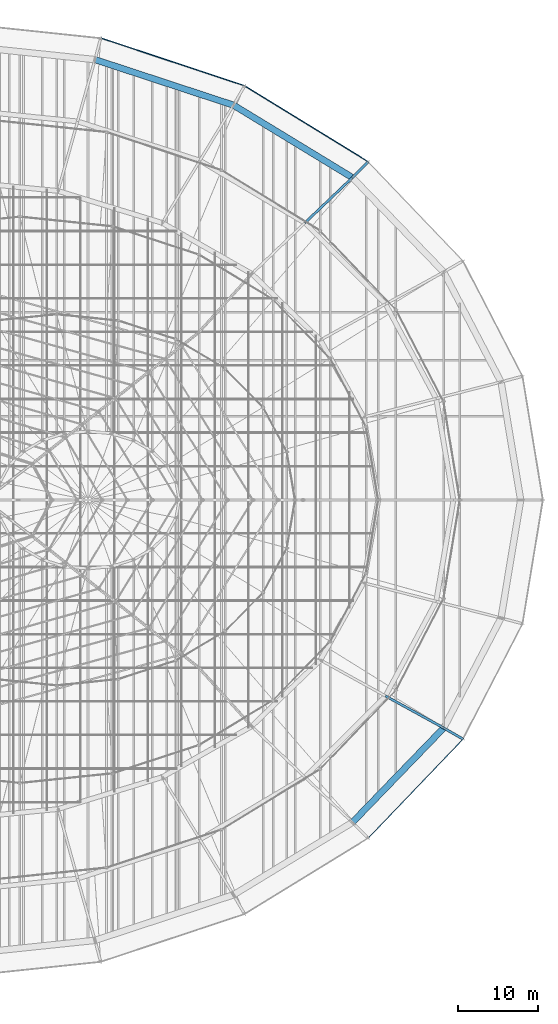
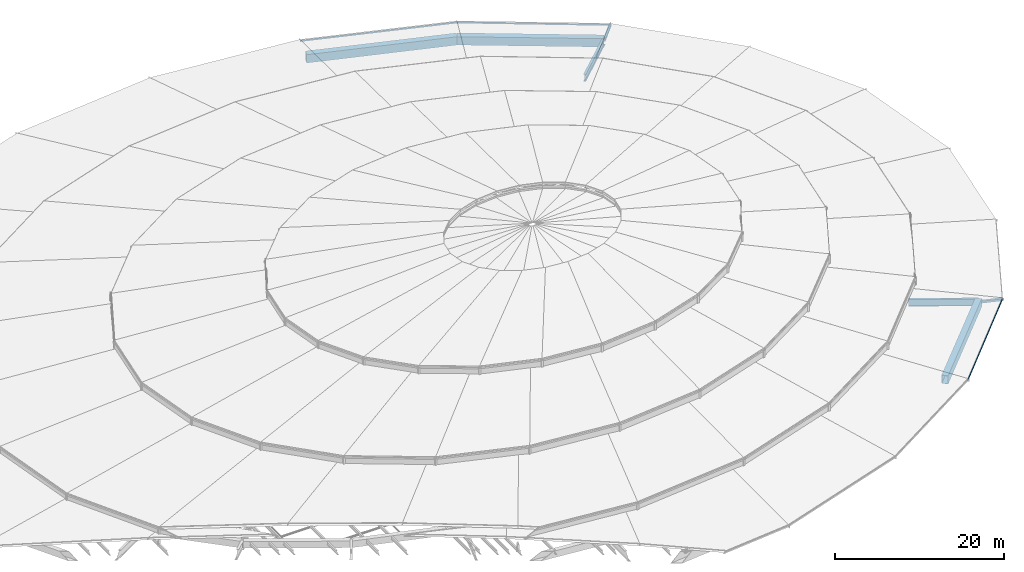
# One storey, part 127 of 184: 5 beams, 5 members.
"""IFC4 building model written with IfcOpenShell, lengths in metres."""

from ifc_helpers import new_model, si_unit, direction, frame, origin, origin_2d, place, context, subcontext, project, spatial, hollow_rectangle, i_section, extrude, material, material_profile, profile_set, type_object, element, save


model = new_model("IFC4")

# Units and contexts
model_context = context("Model", 3, precision=1e-05, world=origin(), true_north=direction((0.0, 1.0)))
body_context = subcontext(model_context, "Body", "Model", "MODEL_VIEW")
ifc_project = project(units=[si_unit("LENGTHUNIT", "METRE"), si_unit("AREAUNIT", "SQUARE_METRE"), si_unit("VOLUMEUNIT", "CUBIC_METRE"), si_unit("PLANEANGLEUNIT", "RADIAN"), si_unit("MASSUNIT", "GRAM", prefix="KILO")], contexts=[model_context])

# Site, building, storey
site_placement = place(None, origin())
site = spatial("IfcSite", under=ifc_project, at=site_placement, CompositionType="ELEMENT")
building_placement = place(site_placement, origin())
building = spatial("IfcBuilding", under=site, at=building_placement, Name="Kalgoora Escarpment Arena", CompositionType="ELEMENT")
storey_placement = place(building_placement, frame((0.0, 0.0, 27.60009765625)))
storey = spatial("IfcBuildingStorey", under=building, at=storey_placement, Name="Roof Level", CompositionType="ELEMENT", Elevation=27.60009765625)

# Beams
ifc_material_1 = material(Name="Structural steel Grade 350 (350 MPa)", Category="steel")
ifc_material_profile_1 = material_profile(ifc_material_1, hollow_rectangle(XDim=0.800048828125, YDim=1.199951171875, WallThickness=0.031982421875, at=origin_2d()))
ifc_profile_set_1 = profile_set([ifc_material_profile_1], Name="Structural steel Grade 350 (350 MPa)")
beam_type_1 = type_object("IfcBeamType", Name="BM-RING-BOX1200", PredefinedType="USERDEFINED", material=ifc_profile_set_1)
beam_1_placement = place(storey_placement, frame((143.17041015625, 104.30517578125, -1.4501953125), z_axis=(-0.854030640858, 0.520222706613, 0.0), x_axis=(-0.520222706613, -0.854030640858, 0.0)))
element("IfcBeam", 1, at=beam_1_placement, inside=storey, type_object=beam_type_1, Name="Outer perimeter compression RING BEAM chord 04", ObjectType="GIRDER", PredefinedType="USERDEFINED", context=body_context, shape_type="SweptSolid", body=[
    extrude(hollow_rectangle(XDim=0.800048828125, YDim=1.199951171875, WallThickness=0.031982421875, at=origin_2d()), origin(), (0.0, 0.0, 1.0), 17.411865234375),
])
beam_2_placement = place(storey_placement, frame((128.300048828125, 113.36328125, -1.4501953125), z_axis=(-0.949954555117, 0.312388129115, 0.0), x_axis=(-0.312388129115, -0.949954555117, 0.0)))
element("IfcBeam", 2, at=beam_2_placement, inside=storey, type_object=beam_type_1, Name="Outer perimeter compression RING BEAM chord 05", ObjectType="GIRDER", PredefinedType="USERDEFINED", context=body_context, shape_type="SweptSolid", body=[
    extrude(hollow_rectangle(XDim=0.800048828125, YDim=1.199951171875, WallThickness=0.031982421875, at=origin_2d()), origin(), (0.0, 0.0, 1.0), 18.229248046875),
])
beam_3_placement = place(storey_placement, frame((143.17041015625, 23.69482421875, -1.4501953125), z_axis=(0.694974435465, 0.719034445663, 0.0), x_axis=(-0.719034445663, 0.694974435465, 0.0)))
element("IfcBeam", 3, at=beam_3_placement, inside=storey, type_object=beam_type_1, Name="Outer perimeter compression RING BEAM chord 22", ObjectType="GIRDER", PredefinedType="USERDEFINED", context=body_context, shape_type="SweptSolid", body=[
    extrude(hollow_rectangle(XDim=0.800048828125, YDim=1.199951171875, WallThickness=0.031982421875, at=origin_2d()), origin(), (0.0, 0.0, 1.0), 16.418212890625),
])
ifc_material_2 = material(Name="Structural steel Grade 350 (350 MPa)", Category="steel")
ifc_material_profile_2 = material_profile(ifc_material_2, i_section(OverallWidth=0.300048828125, OverallDepth=1.010009765625, WebThickness=0.01611328125, FlangeThickness=0.030029296875, at=origin_2d()))
ifc_profile_set_2 = profile_set([ifc_material_profile_2], Name="Structural steel Grade 350 (350 MPa)")
beam_type_2 = type_object("IfcBeamType", Name="BM-TRUSS-CHORD", PredefinedType="USERDEFINED", material=ifc_profile_set_2)
beam_4_placement = place(storey_placement, frame((143.17041015625, 104.30517578125, -1.400146484375), z_axis=(-0.724076232267, -0.689612001228, 0.012202361594), x_axis=(0.689663347757, -0.724130144905, 0.0)))
element("IfcBeam", 4, at=beam_4_placement, inside=storey, type_object=beam_type_2, Name="Outer radial petal support girder R04", ObjectType="GIRDER", PredefinedType="USERDEFINED", context=body_context, shape_type="SweptSolid", body=[
    extrude(i_section(OverallWidth=0.300048828125, OverallDepth=1.010009765625, WebThickness=0.01611328125, FlangeThickness=0.030029296875, at=origin_2d()), origin(), (0.0, 0.0, 1.0), 8.203125),
])
beam_5_placement = place(storey_placement, frame((154.58056640625, 35.5, -1.400146484375), z_axis=(-0.876206233103, 0.481785512741, 0.01205640016), x_axis=(-0.481820531956, -0.876269921306, 0.0)))
element("IfcBeam", 5, at=beam_5_placement, inside=storey, type_object=beam_type_2, Name="Outer radial petal support girder R23", ObjectType="GIRDER", PredefinedType="USERDEFINED", context=body_context, shape_type="SweptSolid", body=[
    extrude(i_section(OverallWidth=0.300048828125, OverallDepth=1.010009765625, WebThickness=0.01611328125, FlangeThickness=0.030029296875, at=origin_2d()), origin(), (0.0, 0.0, 1.0), 8.302490234375),
])

# Members
ifc_material_3 = material(Name="Structural steel C350 (350 MPa)", Category="steel")
ifc_material_profile_3 = material_profile(ifc_material_3, hollow_rectangle(XDim=0.10009765625, YDim=0.199951171875, WallThickness=0.009033203125, at=origin_2d()))
ifc_profile_set_3 = profile_set([ifc_material_profile_3], Name="Structural steel C350 (350 MPa)")
member_type_1 = type_object("IfcMemberType", Name="MEM-PURLIN-RHS", PredefinedType="PURLIN", material=ifc_profile_set_3)
member_1_placement = place(storey_placement, frame((145.150146484375, 106.284912109375, -1.02001953125), z_axis=(-0.851766436126, 0.52392169099, 0.0), x_axis=(-0.52392169099, -0.851766436126, 0.0)))
element("IfcMember", 6, at=member_1_placement, inside=storey, type_object=member_type_1, Name="Petal RP1 eave support ring purlin S04", PredefinedType="PURLIN", context=body_context, shape_type="SweptSolid", body=[
    extrude(hollow_rectangle(XDim=0.10009765625, YDim=0.199951171875, WallThickness=0.009033203125, at=origin_2d()), origin(), (0.0, 0.0, 1.0), 18.138916015625),
])
member_2_placement = place(storey_placement, frame((129.699951171875, 115.788330078125, -1.02001953125), z_axis=(-0.949049684194, 0.315126477675, 0.0), x_axis=(-0.315126477675, -0.949049684194, 0.0)))
element("IfcMember", 7, at=member_2_placement, inside=storey, type_object=member_type_1, Name="Petal RP1 eave support ring purlin S05", PredefinedType="PURLIN", context=body_context, shape_type="SweptSolid", body=[
    extrude(hollow_rectangle(XDim=0.10009765625, YDim=0.199951171875, WallThickness=0.009033203125, at=origin_2d()), origin(), (0.0, 0.0, 1.0), 18.957763671875),
])
member_3_placement = place(storey_placement, frame((145.150146484375, 21.715087890625, -1.02001953125), z_axis=(0.691494829902, 0.722381409104, 0.0), x_axis=(-0.722381409104, 0.691494829902, 0.0)))
element("IfcMember", 8, at=member_3_placement, inside=storey, type_object=member_type_1, Name="Petal RP1 eave support ring purlin S22", PredefinedType="PURLIN", context=body_context, shape_type="SweptSolid", body=[
    extrude(hollow_rectangle(XDim=0.10009765625, YDim=0.199951171875, WallThickness=0.009033203125, at=origin_2d()), origin(), (0.0, 0.0, 1.0), 17.144775390625),
])
ifc_material_4 = material(Name="Structural steel C450 (450 MPa)", Category="steel")
ifc_material_profile_4 = material_profile(ifc_material_4, hollow_rectangle(XDim=0.300048828125, YDim=0.300048828125, WallThickness=0.012451171875, at=origin_2d()))
ifc_profile_set_4 = profile_set([ifc_material_profile_4], Name="Structural steel C450 (450 MPa)")
member_type_2 = type_object("IfcMemberType", Name="MEM-TRUSS-POST", PredefinedType="POST", material=ifc_profile_set_4)
member_4_placement = place(storey_placement, frame((143.17041015625, 104.30517578125, -1.400146484375), z_axis=(0.699993721034, 0.699993721034, 0.141483500897), x_axis=(-0.707106781187, 0.707106781187, 0.0)))
element("IfcMember", 9, at=member_4_placement, inside=storey, type_object=member_type_2, Name="Petal RP1 eave strut S04", PredefinedType="POST", context=body_context, shape_type="SweptSolid", body=[
    extrude(hollow_rectangle(XDim=0.300048828125, YDim=0.300048828125, WallThickness=0.012451171875, at=origin_2d()), origin(), (0.0, 0.0, 1.0), 2.828125),
])
member_5_placement = place(storey_placement, frame((154.58056640625, 35.5, -1.400146484375), z_axis=(0.857346427406, -0.494918394719, 0.141466907734), x_axis=(0.49994636267, 0.866056369097, 0.0)))
element("IfcMember", 10, at=member_5_placement, inside=storey, type_object=member_type_2, Name="Petal RP1 eave strut S23", PredefinedType="POST", context=body_context, shape_type="SweptSolid", body=[
    extrude(hollow_rectangle(XDim=0.300048828125, YDim=0.300048828125, WallThickness=0.012451171875, at=origin_2d()), origin(), (0.0, 0.0, 1.0), 2.82861328125),
])

save(model, "model.ifc")
